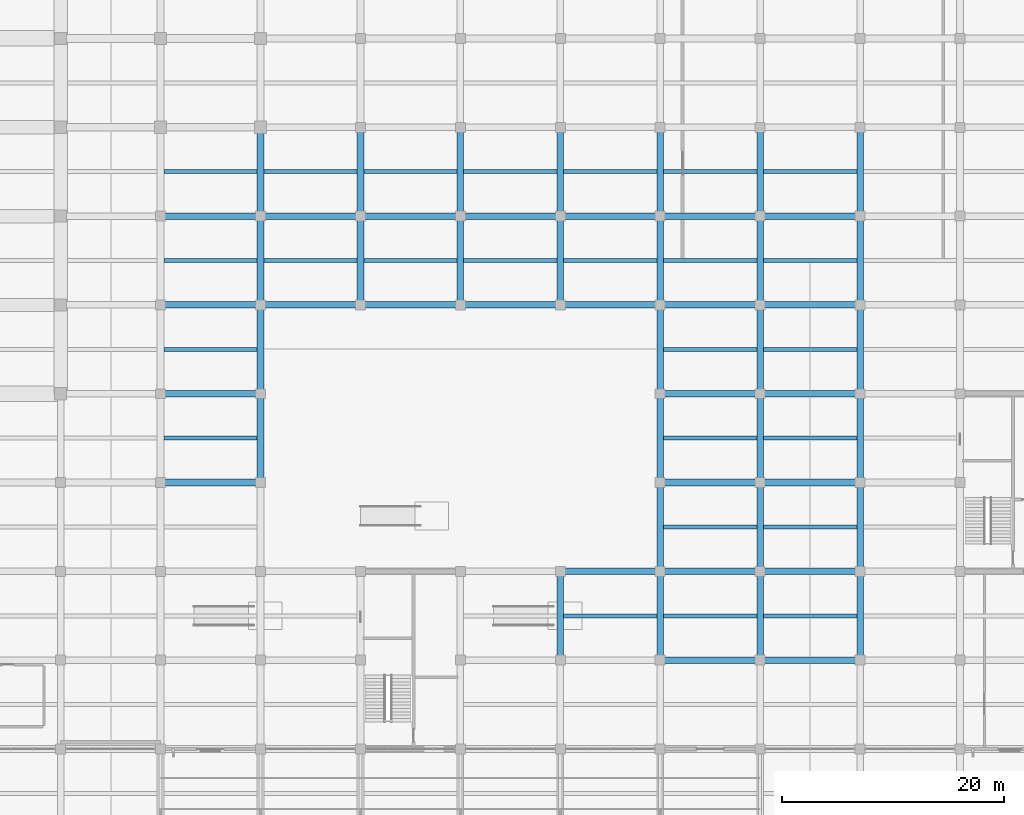
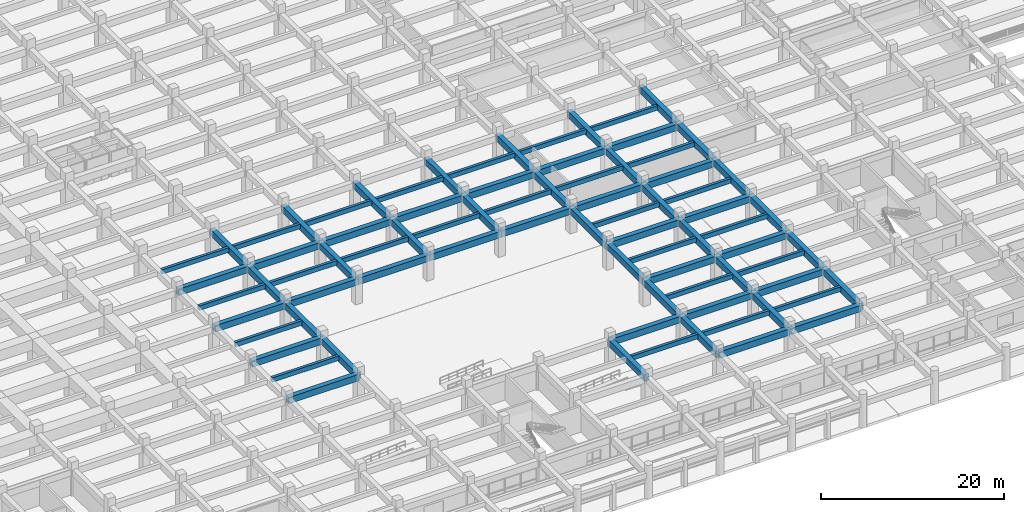
# One storey, part 8 of 40: 79 beams.
"""IFC4 building model written with IfcOpenShell, lengths in metres."""

from ifc_helpers import new_model, si_unit, direction, frame, origin, origin_2d, place, context, subcontext, project, spatial, rectangle, extrude, material, material_profile, profile_set, type_object, element, save


model = new_model("IFC4")

# Units and contexts
model_context = context("Model", 3, precision=1e-05, world=origin(), true_north=direction((0.0, 1.0)))
body_context = subcontext(model_context, "Body", "Model", "MODEL_VIEW")
ifc_project = project(units=[si_unit("LENGTHUNIT", "METRE"), si_unit("AREAUNIT", "SQUARE_METRE"), si_unit("VOLUMEUNIT", "CUBIC_METRE"), si_unit("PLANEANGLEUNIT", "RADIAN"), si_unit("MASSUNIT", "GRAM", prefix="KILO")], contexts=[model_context])

# Site, building, storey
site_placement = place(None, origin())
site = spatial("IfcSite", under=ifc_project, at=site_placement, CompositionType="ELEMENT")
building_placement = place(site_placement, origin())
building = spatial("IfcBuilding", under=site, at=building_placement, Name="Zaverband Oceanarium and Marine Research Institute", CompositionType="ELEMENT")
storey_placement = place(building_placement, origin())
storey = spatial("IfcBuildingStorey", under=building, at=storey_placement, Name="L00", CompositionType="ELEMENT", Elevation=0.0)

# Beams
ifc_material = material(Name="Concrete C40/50", Category="concrete")
ifc_material_profile_1 = material_profile(ifc_material, rectangle(XDim=0.60009765625, YDim=0.85009765625, at=origin_2d()), Name="RC600x850")
ifc_profile_set_1 = profile_set([ifc_material_profile_1], Name="Concrete C40/50")
beam_type_1 = type_object("IfcBeamType", Name="BM-600x850", PredefinedType="BEAM", material=ifc_profile_set_1)
for number, where, z_axis, x_axis, name in (
    (1, (108.0, 16.0, 3.02490234375), (1.0, 0.0, 0.0), (0.0, 1.0, 0.0), "Primary floor girder BM-600x850"),
    (2, (117.0, 16.0, 3.02490234375), (1.0, 0.0, 0.0), (0.0, 1.0, 0.0), "Primary floor girder BM-600x850"),
    (3, (99.0, 24.0, 3.02490234375), (1.0, 0.0, 0.0), (0.0, 1.0, 0.0), "Primary floor girder BM-600x850"),
    (4, (108.0, 24.0, 3.02490234375), (1.0, 0.0, 0.0), (0.0, 1.0, 0.0), "Primary floor girder BM-600x850"),
    (5, (117.0, 24.0, 3.02490234375), (1.0, 0.0, 0.0), (0.0, 1.0, 0.0), "Primary floor girder BM-600x850"),
    (6, (63.0, 32.0, 3.02490234375), (1.0, 0.0, 0.0), (0.0, 1.0, 0.0), "Primary floor girder BM-600x850"),
    (7, (108.0, 32.0, 3.02490234375), (1.0, 0.0, 0.0), (0.0, 1.0, 0.0), "Primary floor girder BM-600x850"),
    (8, (117.0, 32.0, 3.02490234375), (1.0, 0.0, 0.0), (0.0, 1.0, 0.0), "Primary floor girder BM-600x850"),
    (9, (63.0, 40.0, 3.02490234375), (1.0, 0.0, 0.0), (0.0, 1.0, 0.0), "Primary floor girder BM-600x850"),
    (10, (108.0, 40.0, 3.02490234375), (1.0, 0.0, 0.0), (0.0, 1.0, 0.0), "Primary floor girder BM-600x850"),
    (11, (117.0, 40.0, 3.02490234375), (1.0, 0.0, 0.0), (0.0, 1.0, 0.0), "Primary floor girder BM-600x850"),
    (12, (63.0, 48.0, 2.875), (1.0, 0.0, 0.0), (0.0, 1.0, 0.0), "Primary floor girder BM-600x850"),
    (13, (72.0, 48.0, 2.875), (1.0, 0.0, 0.0), (0.0, 1.0, 0.0), "Primary floor girder BM-600x850"),
    (14, (81.0, 48.0, 2.875), (1.0, 0.0, 0.0), (0.0, 1.0, 0.0), "Primary floor girder BM-600x850"),
    (15, (90.0, 48.0, 2.875), (1.0, 0.0, 0.0), (0.0, 1.0, 0.0), "Primary floor girder BM-600x850"),
    (16, (99.0, 48.0, 2.875), (1.0, 0.0, 0.0), (0.0, 1.0, 0.0), "Primary floor girder BM-600x850"),
    (17, (108.0, 48.0, 2.875), (1.0, 0.0, 0.0), (0.0, 1.0, 0.0), "Primary floor girder BM-600x850"),
    (18, (117.0, 48.0, 2.875), (1.0, 0.0, 0.0), (0.0, 1.0, 0.0), "Primary floor girder BM-600x850"),
    (19, (63.0, 56.0, 2.875), (1.0, 0.0, 0.0), (0.0, 1.0, 0.0), "Primary floor girder BM-600x850"),
    (20, (72.0, 56.0, 2.875), (1.0, 0.0, 0.0), (0.0, 1.0, 0.0), "Primary floor girder BM-600x850"),
    (21, (81.0, 56.0, 2.875), (1.0, 0.0, 0.0), (0.0, 1.0, 0.0), "Primary floor girder BM-600x850"),
    (22, (90.0, 56.0, 2.875), (1.0, 0.0, 0.0), (0.0, 1.0, 0.0), "Primary floor girder BM-600x850"),
    (23, (99.0, 56.0, 2.875), (1.0, 0.0, 0.0), (0.0, 1.0, 0.0), "Primary floor girder BM-600x850"),
    (24, (108.0, 56.0, 2.875), (1.0, 0.0, 0.0), (0.0, 1.0, 0.0), "Primary floor girder BM-600x850"),
    (25, (117.0, 56.0, 2.875), (1.0, 0.0, 0.0), (0.0, 1.0, 0.0), "Primary floor girder BM-600x850"),
):
    element("IfcBeam", number, at=place(storey_placement, frame(where, z_axis=z_axis, x_axis=x_axis)), inside=storey, type_object=beam_type_1, Name=name, PredefinedType="BEAM", context=body_context, shape_type="SweptSolid", body=[
        extrude(rectangle(XDim=0.60009765625, YDim=0.85009765625, at=origin_2d()), origin(), (0.0, 0.0, 1.0), 9.0),
    ])
for number, where, z_axis, x_axis, name in (
    (26, (72.0, 32.0, 3.02490234375), (0.0, 1.0, 0.0), (-1.0, 0.0, 0.0), "Primary floor girder BM-600x850"),
    (27, (72.0, 40.0, 2.875), (0.0, 1.0, 0.0), (-1.0, 0.0, 0.0), "Primary floor girder BM-600x850"),
    (28, (72.0, 48.0, 2.875), (0.0, 1.0, 0.0), (-1.0, 0.0, 0.0), "Primary floor girder BM-600x850"),
    (29, (72.0, 56.0, 2.875), (0.0, 1.0, 0.0), (-1.0, 0.0, 0.0), "Primary floor girder BM-600x850"),
    (30, (81.0, 48.0, 2.875), (0.0, 1.0, 0.0), (-1.0, 0.0, 0.0), "Primary floor girder BM-600x850"),
    (31, (81.0, 56.0, 2.875), (0.0, 1.0, 0.0), (-1.0, 0.0, 0.0), "Primary floor girder BM-600x850"),
    (32, (90.0, 48.0, 2.875), (0.0, 1.0, 0.0), (-1.0, 0.0, 0.0), "Primary floor girder BM-600x850"),
    (33, (90.0, 56.0, 2.875), (0.0, 1.0, 0.0), (-1.0, 0.0, 0.0), "Primary floor girder BM-600x850"),
    (34, (99.0, 16.0, 3.02490234375), (0.0, 1.0, 0.0), (-1.0, 0.0, 0.0), "Primary floor girder BM-600x850"),
    (35, (99.0, 48.0, 2.875), (0.0, 1.0, 0.0), (-1.0, 0.0, 0.0), "Primary floor girder BM-600x850"),
    (36, (99.0, 56.0, 2.875), (0.0, 1.0, 0.0), (-1.0, 0.0, 0.0), "Primary floor girder BM-600x850"),
    (37, (108.0, 16.0, 3.02490234375), (0.0, 1.0, 0.0), (-1.0, 0.0, 0.0), "Primary floor girder BM-600x850"),
    (38, (108.0, 24.0, 3.02490234375), (0.0, 1.0, 0.0), (-1.0, 0.0, 0.0), "Primary floor girder BM-600x850"),
    (39, (108.0, 32.0, 3.02490234375), (0.0, 1.0, 0.0), (-1.0, 0.0, 0.0), "Primary floor girder BM-600x850"),
    (40, (108.0, 40.0, 2.875), (0.0, 1.0, 0.0), (-1.0, 0.0, 0.0), "Primary floor girder BM-600x850"),
    (41, (108.0, 48.0, 2.875), (0.0, 1.0, 0.0), (-1.0, 0.0, 0.0), "Primary floor girder BM-600x850"),
    (42, (108.0, 56.0, 2.875), (0.0, 1.0, 0.0), (-1.0, 0.0, 0.0), "Primary floor girder BM-600x850"),
    (43, (117.0, 16.0, 3.02490234375), (0.0, 1.0, 0.0), (-1.0, 0.0, 0.0), "Primary floor girder BM-600x850"),
    (44, (117.0, 24.0, 3.02490234375), (0.0, 1.0, 0.0), (-1.0, 0.0, 0.0), "Primary floor girder BM-600x850"),
    (45, (117.0, 32.0, 3.02490234375), (0.0, 1.0, 0.0), (-1.0, 0.0, 0.0), "Primary floor girder BM-600x850"),
    (46, (117.0, 40.0, 2.875), (0.0, 1.0, 0.0), (-1.0, 0.0, 0.0), "Primary floor girder BM-600x850"),
    (47, (117.0, 48.0, 2.875), (0.0, 1.0, 0.0), (-1.0, 0.0, 0.0), "Primary floor girder BM-600x850"),
    (48, (117.0, 56.0, 2.875), (0.0, 1.0, 0.0), (-1.0, 0.0, 0.0), "Primary floor girder BM-600x850"),
    (49, (126.0, 16.0, 3.02490234375), (0.0, 1.0, 0.0), (-1.0, 0.0, 0.0), "Primary floor girder BM-600x850"),
    (50, (126.0, 24.0, 3.02490234375), (0.0, 1.0, 0.0), (-1.0, 0.0, 0.0), "Primary floor girder BM-600x850"),
    (51, (126.0, 32.0, 3.02490234375), (0.0, 1.0, 0.0), (-1.0, 0.0, 0.0), "Primary floor girder BM-600x850"),
    (52, (126.0, 40.0, 3.02490234375), (0.0, 1.0, 0.0), (-1.0, 0.0, 0.0), "Primary floor girder BM-600x850"),
    (53, (126.0, 48.0, 3.02490234375), (0.0, 1.0, 0.0), (-1.0, 0.0, 0.0), "Primary floor girder BM-600x850"),
    (54, (126.0, 56.0, 3.02490234375), (0.0, 1.0, 0.0), (-1.0, 0.0, 0.0), "Primary floor girder BM-600x850"),
):
    element("IfcBeam", number, at=place(storey_placement, frame(where, z_axis=z_axis, x_axis=x_axis)), inside=storey, type_object=beam_type_1, Name=name, PredefinedType="BEAM", context=body_context, shape_type="SweptSolid", body=[
        extrude(rectangle(XDim=0.60009765625, YDim=0.85009765625, at=origin_2d()), origin(), (0.0, 0.0, 1.0), 8.0),
    ])
ifc_material_profile_2 = material_profile(ifc_material, rectangle(XDim=0.35009765625, YDim=0.60009765625, at=origin_2d()), Name="RC350x600")
ifc_profile_set_2 = profile_set([ifc_material_profile_2], Name="Concrete C40/50")
beam_type_2 = type_object("IfcBeamType", Name="JST-350x600", PredefinedType="JOIST", material=ifc_profile_set_2)
for number, where, z_axis, x_axis, name in (
    (55, (63.300048828125, 36.0, 3.14990234375), (1.0, 0.0, 0.0), (0.0, 1.0, 0.0), "Secondary floor joist JST-350x600"),
    (56, (63.300048828125, 44.0, 3.0), (1.0, 0.0, 0.0), (0.0, 1.0, 0.0), "Secondary floor joist JST-350x600"),
    (57, (63.300048828125, 52.0, 3.0), (1.0, 0.0, 0.0), (0.0, 1.0, 0.0), "Secondary floor joist JST-350x600"),
    (58, (63.300048828125, 60.0, 3.0), (1.0, 0.0, 0.0), (0.0, 1.0, 0.0), "Secondary floor joist JST-350x600"),
    (59, (72.300048828125, 52.0, 3.0), (1.0, 0.0, 0.0), (0.0, 1.0, 0.0), "Secondary floor joist JST-350x600"),
    (60, (72.300048828125, 60.0, 3.0), (1.0, 0.0, 0.0), (0.0, 1.0, 0.0), "Secondary floor joist JST-350x600"),
    (61, (81.300048828125, 52.0, 3.0), (1.0, 0.0, 0.0), (0.0, 1.0, 0.0), "Secondary floor joist JST-350x600"),
    (62, (81.300048828125, 60.0, 3.0), (1.0, 0.0, 0.0), (0.0, 1.0, 0.0), "Secondary floor joist JST-350x600"),
    (63, (90.300048828125, 52.0, 3.0), (1.0, 0.0, 0.0), (0.0, 1.0, 0.0), "Secondary floor joist JST-350x600"),
    (64, (90.300048828125, 60.0, 3.0), (1.0, 0.0, 0.0), (0.0, 1.0, 0.0), "Secondary floor joist JST-350x600"),
    (65, (99.300048828125, 20.0, 3.14990234375), (1.0, 0.0, 0.0), (0.0, 1.0, 0.0), "Secondary floor joist JST-350x600"),
    (66, (99.300048828125, 52.0, 3.0), (1.0, 0.0, 0.0), (0.0, 1.0, 0.0), "Secondary floor joist JST-350x600"),
    (67, (99.300048828125, 60.0, 3.0), (1.0, 0.0, 0.0), (0.0, 1.0, 0.0), "Secondary floor joist JST-350x600"),
    (68, (108.300048828125, 20.0, 3.14990234375), (1.0, 0.0, 0.0), (0.0, 1.0, 0.0), "Secondary floor joist JST-350x600"),
    (69, (108.300048828125, 28.0, 3.14990234375), (1.0, 0.0, 0.0), (0.0, 1.0, 0.0), "Secondary floor joist JST-350x600"),
    (70, (108.300048828125, 36.0, 3.14990234375), (1.0, 0.0, 0.0), (0.0, 1.0, 0.0), "Secondary floor joist JST-350x600"),
    (71, (108.300048828125, 44.0, 3.0), (1.0, 0.0, 0.0), (0.0, 1.0, 0.0), "Secondary floor joist JST-350x600"),
    (72, (108.300048828125, 52.0, 3.0), (1.0, 0.0, 0.0), (0.0, 1.0, 0.0), "Secondary floor joist JST-350x600"),
    (73, (108.300048828125, 60.0, 3.0), (1.0, 0.0, 0.0), (0.0, 1.0, 0.0), "Secondary floor joist JST-350x600"),
    (74, (117.300048828125, 20.0, 3.14990234375), (1.0, 0.0, 0.0), (0.0, 1.0, 0.0), "Secondary floor joist JST-350x600"),
    (75, (117.300048828125, 28.0, 3.14990234375), (1.0, 0.0, 0.0), (0.0, 1.0, 0.0), "Secondary floor joist JST-350x600"),
    (76, (117.300048828125, 36.0, 3.14990234375), (1.0, 0.0, 0.0), (0.0, 1.0, 0.0), "Secondary floor joist JST-350x600"),
    (77, (117.300048828125, 44.0, 3.0), (1.0, 0.0, 0.0), (0.0, 1.0, 0.0), "Secondary floor joist JST-350x600"),
    (78, (117.300048828125, 52.0, 3.0), (1.0, 0.0, 0.0), (0.0, 1.0, 0.0), "Secondary floor joist JST-350x600"),
    (79, (117.300048828125, 60.0, 3.0), (1.0, 0.0, 0.0), (0.0, 1.0, 0.0), "Secondary floor joist JST-350x600"),
):
    element("IfcBeam", number, at=place(storey_placement, frame(where, z_axis=z_axis, x_axis=x_axis)), inside=storey, type_object=beam_type_2, Name=name, PredefinedType="JOIST", context=body_context, shape_type="SweptSolid", body=[
        extrude(rectangle(XDim=0.35009765625, YDim=0.60009765625, at=origin_2d()), origin(), (0.0, 0.0, 1.0), 8.39990234375),
    ])

save(model, "model.ifc")
